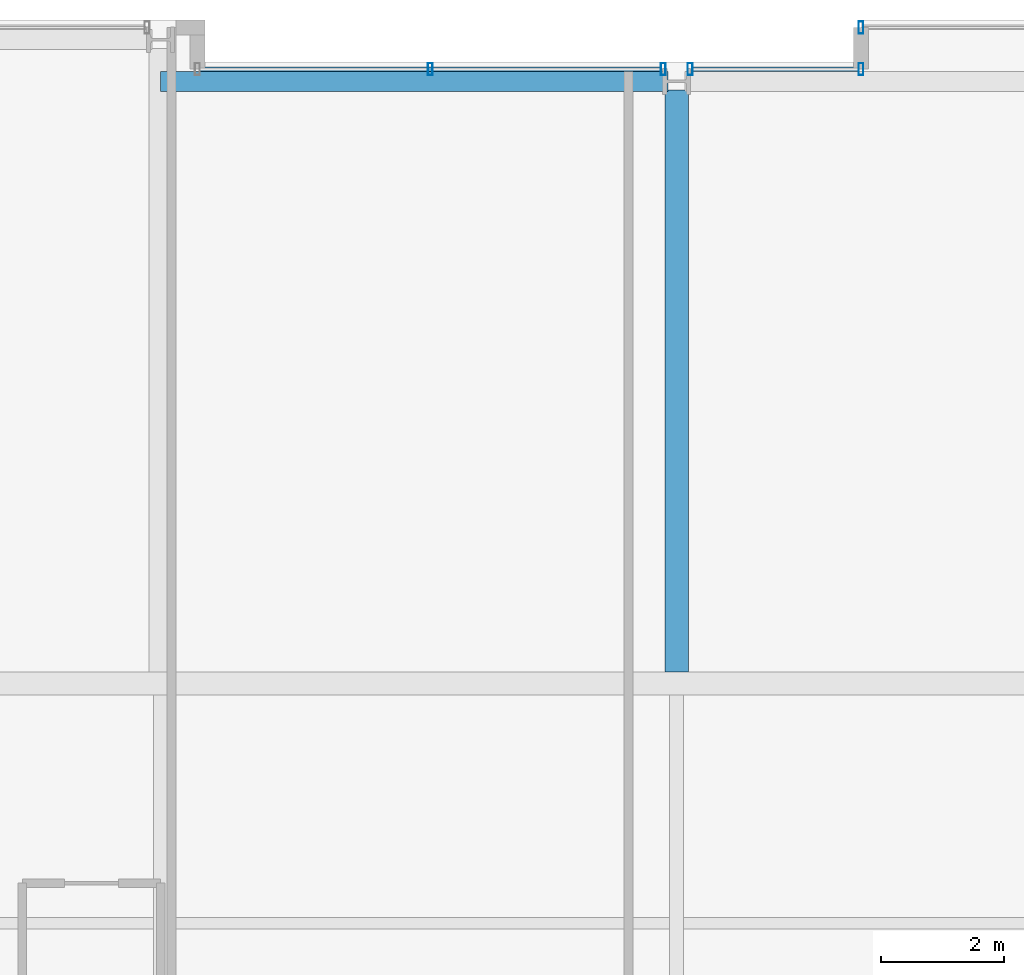
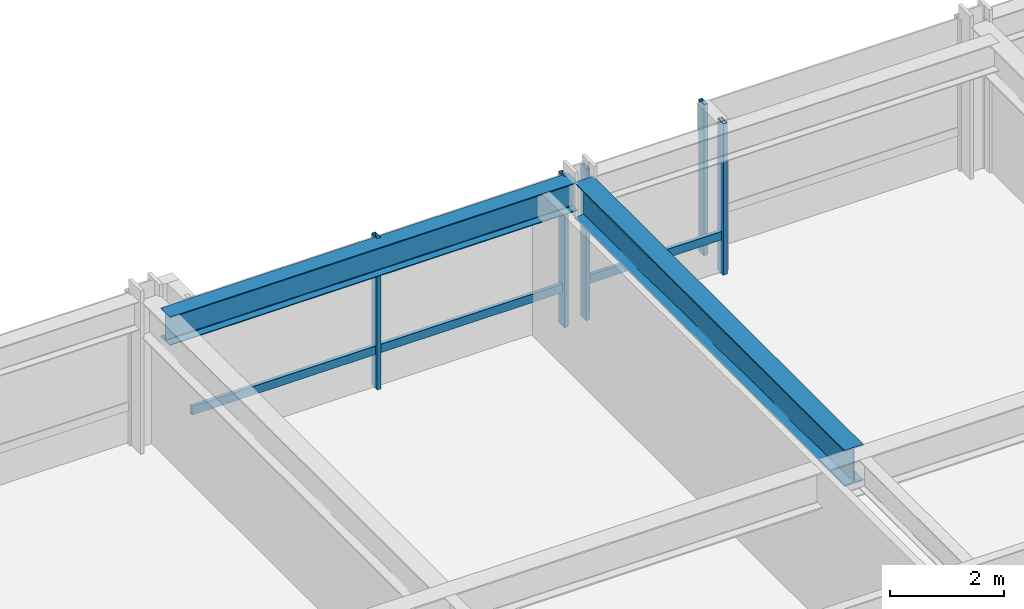
# One storey, part 22 of 33: 7 members, 2 beams, 3 elements without a shape of their own.
"""IFC4 building model written with IfcOpenShell, lengths in metres."""

import ifcopenshell
import ifcopenshell.guid

model = None  # the IFC model being written
_history = None  # IfcOwnerHistory: only IFC2X3 demands one
_inside = {}  # id of a spatial element -> (the spatial element, [elements in it])
_under = {}  # id of a project, library or spatial element -> (it, [spatial elements below it])
_declared = {}  # id of a project -> (the project, [libraries it declares])
_typed = {}  # id of a type object -> (the type object, [elements of that type])
_made_of = {}  # id of a material, layer set ... -> (it, [elements and type objects made of it])


def new_model(schema):
    """Start an empty IFC model of exactly this schema.

    Asked for "IFC4X3", IfcOpenShell would pick the latest addendum, in which some entities
    have other attributes; the version numbers below select the first issue.
    IFC2X3 requires an IfcOwnerHistory on every rooted entity: one is made here for all.
    """
    global model, _history
    if schema == "IFC4X3":
        model = ifcopenshell.file(schema_version=(4, 3, 0, 0))
    else:
        model = ifcopenshell.file(schema=schema)
    _inside.clear()
    _under.clear()
    _declared.clear()
    _typed.clear()
    _made_of.clear()
    _history = None
    if model.schema == "IFC2X3":
        org = make("IfcOrganization", Name="unknown")
        user = make(
            "IfcPersonAndOrganization",
            ThePerson=make("IfcPerson", FamilyName="unknown"),
            TheOrganization=org,
        )
        app = make(
            "IfcApplication",
            ApplicationDeveloper=org,
            Version="unknown",
            ApplicationFullName="unknown",
            ApplicationIdentifier="unknown",
        )
        _history = make(
            "IfcOwnerHistory",
            OwningUser=user,
            OwningApplication=app,
            ChangeAction="ADDED",
            CreationDate=0,
        )
    return model


def make(cls, **values):
    """One entity of the class cls with the attributes given. An attribute that is None is left unset."""
    return model.create_entity(
        cls, **{name: value for name, value in values.items() if value is not None}
    )


def rooted(cls, **values):
    """An entity with a GlobalId (a new one), such as an element, a storey or a relation."""
    return make(cls, GlobalId=ifcopenshell.guid.new(), OwnerHistory=_history, **values)


def si_unit(unit_type, name, prefix=None):
    """IfcSIUnit, for example si_unit("LENGTHUNIT", "METRE", prefix="MILLI")."""
    return make("IfcSIUnit", UnitType=unit_type, Prefix=prefix, Name=name)


def assignment(units):
    """IfcUnitAssignment: the units of a project."""
    return None if units is None else make("IfcUnitAssignment", Units=units)


def point(xyz):
    """IfcCartesianPoint."""
    return None if xyz is None else make("IfcCartesianPoint", Coordinates=xyz)


def direction(xyz):
    """IfcDirection."""
    return None if xyz is None else make("IfcDirection", DirectionRatios=xyz)


def frame(location, z_axis=None, x_axis=None):
    """IfcAxis2Placement3D, a coordinate frame: its origin and axes. An axis left out is left unset."""
    return make(
        "IfcAxis2Placement3D",
        Location=point(location),
        Axis=direction(z_axis),
        RefDirection=direction(x_axis),
    )


def frame_2d(location, x_axis=None):
    """IfcAxis2Placement2D, a coordinate frame in the plane: its origin and x axis."""
    return make(
        "IfcAxis2Placement2D", Location=point(location), RefDirection=direction(x_axis)
    )


def origin():
    """The frame at (0, 0, 0) with its axes left unset."""
    return frame((0.0, 0.0, 0.0))


def origin_2d():
    """The frame at (0, 0) in the plane with its x axis left unset."""
    return frame_2d((0.0, 0.0))


def place(relative_to, where):
    """IfcLocalPlacement: puts the frame where relative to a parent placement (None: the world)."""
    return make(
        "IfcLocalPlacement", PlacementRelTo=relative_to, RelativePlacement=where
    )


def context(
    kind, dimensions, precision=None, world=None, true_north=None, identifier=None
):
    """IfcGeometricRepresentationContext, for example the 3D "Model" context."""
    return make(
        "IfcGeometricRepresentationContext",
        ContextIdentifier=identifier,
        ContextType=kind,
        CoordinateSpaceDimension=dimensions,
        Precision=precision,
        WorldCoordinateSystem=world,
        TrueNorth=true_north,
    )


def subcontext(parent, identifier, kind, view, scale=None):
    """IfcGeometricRepresentationSubContext, for example "Body" below "Model"."""
    return make(
        "IfcGeometricRepresentationSubContext",
        ContextIdentifier=identifier,
        ContextType=kind,
        ParentContext=parent,
        TargetScale=scale,
        TargetView=view,
    )


def project(units=None, contexts=None):
    """IfcProject with its units and contexts."""
    return rooted(
        "IfcProject",
        Name="project",
        RepresentationContexts=contexts,
        UnitsInContext=assignment(units),
    )


def spatial(cls, under=None, at=None, **own):
    """A site, building, storey or space (cls), placed at a placement, below another one or the project."""
    s = rooted(cls, ObjectPlacement=at, **own)
    if under is not None:
        _under.setdefault(under.id(), (under, []))[1].append(s)
    return s


def profile(cls, at=None, kind="AREA", **sizes):
    """A parametric profile (cls). Its sizes go by their IFC names, for example OverallWidth=200.0."""
    return make(cls, ProfileType=kind, Position=at, **sizes)


def hollow_rectangle(**sizes):
    """IfcRectangleHollowProfileDef."""
    return profile("IfcRectangleHollowProfileDef", **sizes)


def i_section(**sizes):
    """IfcIShapeProfileDef."""
    return profile("IfcIShapeProfileDef", **sizes)


def extrude(swept, where, along, depth):
    """IfcExtrudedAreaSolid: the profile swept, set in the frame where, extruded along a direction by depth."""
    return make(
        "IfcExtrudedAreaSolid",
        SweptArea=swept,
        Position=where,
        ExtrudedDirection=direction(along),
        Depth=depth,
    )


def shape(context_of_items, identifier, shape_type, items):
    """IfcShapeRepresentation: the items that make up one representation, for example the "Body"."""
    return make(
        "IfcShapeRepresentation",
        ContextOfItems=context_of_items,
        RepresentationIdentifier=identifier,
        RepresentationType=shape_type,
        Items=items,
    )


def material(Name=None, Category=None):
    """IfcMaterial."""
    return make("IfcMaterial", Name=Name, Category=Category)


def layer(
    of_material, thickness, ventilated=None, Name=None, Category=None, Priority=None
):
    """IfcMaterialLayer: one layer of a wall or slab, of a material (None: an air gap)."""
    return make(
        "IfcMaterialLayer",
        Material=of_material,
        LayerThickness=thickness,
        IsVentilated=ventilated,
        Name=Name,
        Category=Category,
        Priority=Priority,
    )


def layer_set(layers, Name=None):
    """IfcMaterialLayerSet."""
    return make("IfcMaterialLayerSet", MaterialLayers=layers, LayerSetName=Name)


def material_profile(
    of_material, cross_section, Name=None, Category=None, Priority=None
):
    """IfcMaterialProfile: a cross section and its material."""
    return make(
        "IfcMaterialProfile",
        Name=Name,
        Material=of_material,
        Profile=cross_section,
        Priority=Priority,
        Category=Category,
    )


def profile_set(profiles, Name=None, composite=None):
    """IfcMaterialProfileSet."""
    return make(
        "IfcMaterialProfileSet",
        Name=Name,
        MaterialProfiles=profiles,
        CompositeProfile=composite,
    )


def made_of(thing, what):
    """Note that an element or type object is made of a material, layer set ...; save() writes the relation."""
    if what is not None:
        _made_of.setdefault(what.id(), (what, []))[1].append(thing)
    return thing


def type_object(cls, material=None, **own):
    """A type object (cls), such as IfcWallType, which elements share."""
    return made_of(rooted(cls, **own), material)


def element(
    cls,
    number,
    at=None,
    inside=None,
    cuts=None,
    type_object=None,
    material=None,
    context=None,
    identifier="Body",
    shape_type=None,
    held_by="IfcProductDefinitionShape",
    body=None,
    shapes=None,
    **own,
):
    """One element of the class cls, such as IfcWall. Its Tag is "e" and its number.

    at: its placement. inside: the storey or other place that contains it. cuts: it is an
    opening in that element (IfcRelVoidsElement). A single representation is given by context,
    identifier, shape_type and body (its items); several are given by shapes. held_by: the class
    of the entity that holds the representations. save() writes the other relations.
    """
    e = rooted(cls, Tag="e%d" % number, ObjectPlacement=at, **own)
    if body is not None:
        shapes = [shape(context, identifier, shape_type, body)]
    if shapes is not None:
        e.Representation = make(held_by, Representations=shapes)
    if inside is not None:
        _inside.setdefault(inside.id(), (inside, []))[1].append(e)
    if cuts is not None:
        rooted(
            "IfcRelVoidsElement", RelatingBuildingElement=cuts, RelatedOpeningElement=e
        )
    if type_object is not None:
        _typed.setdefault(type_object.id(), (type_object, []))[1].append(e)
    return made_of(e, material)


def aggregate(whole, parts):
    """IfcRelAggregates: a whole, such as a stair, and the parts it consists of."""
    return rooted("IfcRelAggregates", RelatingObject=whole, RelatedObjects=parts)


def save(model, path):
    """Write the relations noted so far, then the file.

    IfcRelAggregates (storeys below a building ...), IfcRelContainedInSpatialStructure (elements
    in a storey), IfcRelDefinesByType, IfcRelAssociatesMaterial and IfcRelDeclares: one each for
    every whole, place, type object, material and project.
    """
    for whole, parts in _under.values():
        aggregate(whole, parts)
    for where, things in _inside.values():
        rooted(
            "IfcRelContainedInSpatialStructure",
            RelatedElements=things,
            RelatingStructure=where,
        )
    for kind, things in _typed.values():
        rooted("IfcRelDefinesByType", RelatedObjects=things, RelatingType=kind)
    for what, things in _made_of.values():
        rooted("IfcRelAssociatesMaterial", RelatedObjects=things, RelatingMaterial=what)
    for by, libraries in _declared.values():
        rooted("IfcRelDeclares", RelatingContext=by, RelatedDefinitions=libraries)
    model.write(path)


model = new_model("IFC4")

# Units and contexts
model_context = context("Model", 3, precision=1e-05, world=origin(), true_north=direction((0.0, 1.0)))
body_context = subcontext(model_context, "Body", "Model", "MODEL_VIEW")
ifc_project = project(units=[si_unit("LENGTHUNIT", "METRE"), si_unit("AREAUNIT", "SQUARE_METRE"), si_unit("VOLUMEUNIT", "CUBIC_METRE"), si_unit("PLANEANGLEUNIT", "RADIAN"), si_unit("MASSUNIT", "GRAM", prefix="KILO")], contexts=[model_context])

# Site, building, storey
site_placement = place(None, origin())
site = spatial("IfcSite", under=ifc_project, at=site_placement, CompositionType="ELEMENT")
building_placement = place(site_placement, origin())
building = spatial("IfcBuilding", under=site, at=building_placement, Name="Drelvath Grand Hotel", CompositionType="ELEMENT")
storey_placement = place(building_placement, frame((0.0, 0.0, 105.800048828125)))
storey = spatial("IfcBuildingStorey", under=building, at=storey_placement, Name="L26", CompositionType="ELEMENT", Elevation=105.800048828125)

# Curtain wall, member
ifc_material_1 = material(Name="Champagne Bronze Anodised Aluminium Frame", Category="aluminium")
ifc_layer = layer(ifc_material_1, 0.199951171875)
ifc_layer_set = layer_set([ifc_layer], Name="Champagne Bronze Anodised Aluminium Frame")
curtain_wall_type = type_object("IfcCurtainWallType", Name="Stick Curtain Wall CW-03 Champagne Bronze Mid-Rise", PredefinedType="NOTDEFINED", material=ifc_layer_set)
curtain_wall_1_placement = place(storey_placement, origin())
curtain_wall_1 = element("IfcCurtainWall", 1, at=curtain_wall_1_placement, inside=storey, type_object=curtain_wall_type, Name="L26 CW-03 Curtain Wall CW03-L26-NM1", PredefinedType="NOTDEFINED")
ifc_material_profile_1 = material_profile(ifc_material_1, hollow_rectangle(XDim=0.074951171875, YDim=0.179931640625, WallThickness=0.0048828125, at=origin_2d()), Name="HSS180X75X5")
ifc_profile_set_1 = profile_set([ifc_material_profile_1], Name="Champagne Bronze Anodised Aluminium Frame")
member_type_1 = type_object("IfcMemberType", Name="Curtain Wall Horizontal Transom CW-03 HSS180X75X5", PredefinedType="USERDEFINED", material=ifc_profile_set_1)
member_1_placement = place(storey_placement, frame((-7.760009765625, 53.199951171875, 0.81005859375), z_axis=(1.0, 0.0, 0.0), x_axis=(0.0, 1.0, 0.0)))
member_1 = element("IfcMember", 2, at=member_1_placement, type_object=member_type_1, Name="CW03-L26-NM1 Sill Transom", ObjectType="TRANSOM", PredefinedType="USERDEFINED", context=body_context, shape_type="SweptSolid", body=[
    extrude(hollow_rectangle(XDim=0.074951171875, YDim=0.179931640625, WallThickness=0.0048828125, at=origin_2d()), origin(), (0.0, 0.0, 1.0), 7.50048828125),
])

curtain_wall_2_placement = place(storey_placement, origin())
curtain_wall_2 = element("IfcCurtainWall", 3, at=curtain_wall_2_placement, inside=storey, type_object=curtain_wall_type, Name="L26 CW-03 Curtain Wall CW03-L26-NM2", PredefinedType="NOTDEFINED")
member_2_placement = place(storey_placement, frame((0.259521484375, 53.199951171875, 0.81005859375), z_axis=(1.0, 0.0, 0.0), x_axis=(0.0, 1.0, 0.0)))
member_2 = element("IfcMember", 4, at=member_2_placement, type_object=member_type_1, Name="CW03-L26-NM2 Sill Transom", ObjectType="TRANSOM", PredefinedType="USERDEFINED", context=body_context, shape_type="SweptSolid", body=[
    extrude(hollow_rectangle(XDim=0.074951171875, YDim=0.179931640625, WallThickness=0.0048828125, at=origin_2d()), origin(), (0.0, 0.0, 1.0), 2.700439453125),
])

# Member
ifc_material_profile_2 = material_profile(ifc_material_1, hollow_rectangle(XDim=0.080078125, YDim=0.199951171875, WallThickness=0.0048828125, at=origin_2d()), Name="HSS200X80X5")
ifc_profile_set_2 = profile_set([ifc_material_profile_2], Name="Champagne Bronze Anodised Aluminium Frame")
member_type_2 = type_object("IfcMemberType", Name="Curtain Wall Vertical Mullion CW-03 HSS200X80X5", PredefinedType="MULLION", material=ifc_profile_set_2)
member_3_placement = place(storey_placement, frame((-4.009765625, 53.199951171875, 0.0), z_axis=(0.0, 0.0, 1.0), x_axis=(1.0, 0.0, 0.0)))
member_3 = element("IfcMember", 5, at=member_3_placement, type_object=member_type_2, Name="CW03-L26-NM1 Mullion 2", PredefinedType="MULLION", context=body_context, shape_type="SweptSolid", body=[
    extrude(hollow_rectangle(XDim=0.080078125, YDim=0.199951171875, WallThickness=0.0048828125, at=origin_2d()), origin(), (0.0, 0.0, 1.0), 3.239990234375),
])

member_4_placement = place(storey_placement, frame((-0.219482421875, 53.199951171875, 0.0), z_axis=(0.0, 0.0, 1.0), x_axis=(1.0, 0.0, 0.0)))
member_4 = element("IfcMember", 6, at=member_4_placement, type_object=member_type_2, Name="CW03-L26-NM1 Mullion 3", PredefinedType="MULLION", context=body_context, shape_type="SweptSolid", body=[
    extrude(hollow_rectangle(XDim=0.080078125, YDim=0.199951171875, WallThickness=0.0048828125, at=origin_2d()), origin(), (0.0, 0.0, 1.0), 3.239990234375),
])

aggregate(curtain_wall_1, [member_3, member_4, member_1])

member_5_placement = place(storey_placement, frame((0.219482421875, 53.199951171875, 0.0), z_axis=(0.0, 0.0, 1.0), x_axis=(1.0, 0.0, 0.0)))
member_5 = element("IfcMember", 7, at=member_5_placement, type_object=member_type_2, Name="CW03-L26-NM2 Mullion 1", PredefinedType="MULLION", context=body_context, shape_type="SweptSolid", body=[
    extrude(hollow_rectangle(XDim=0.080078125, YDim=0.199951171875, WallThickness=0.0048828125, at=origin_2d()), origin(), (0.0, 0.0, 1.0), 3.239990234375),
])

member_6_placement = place(storey_placement, frame((3.0, 53.199951171875, 0.0), z_axis=(0.0, 0.0, 1.0), x_axis=(1.0, 0.0, 0.0)))
member_6 = element("IfcMember", 8, at=member_6_placement, type_object=member_type_2, Name="CW03-L26-NM2 Mullion 2", PredefinedType="MULLION", context=body_context, shape_type="SweptSolid", body=[
    extrude(hollow_rectangle(XDim=0.080078125, YDim=0.199951171875, WallThickness=0.0048828125, at=origin_2d()), origin(), (0.0, 0.0, 1.0), 3.239990234375),
])

aggregate(curtain_wall_2, [member_5, member_6, member_2])

# Curtain wall, member
curtain_wall_3_placement = place(storey_placement, origin())
curtain_wall_3 = element("IfcCurtainWall", 9, at=curtain_wall_3_placement, inside=storey, type_object=curtain_wall_type, Name="L26 CW-03 Curtain Wall CW03-L26-NE1", PredefinedType="NOTDEFINED")
member_7_placement = place(storey_placement, frame((3.0, 53.8798828125, 0.0), z_axis=(0.0, 0.0, 1.0), x_axis=(1.0, 0.0, 0.0)))
member_7 = element("IfcMember", 10, at=member_7_placement, type_object=member_type_2, Name="CW03-L26-NE1 Mullion 1", PredefinedType="MULLION", context=body_context, shape_type="SweptSolid", body=[
    extrude(hollow_rectangle(XDim=0.080078125, YDim=0.199951171875, WallThickness=0.0048828125, at=origin_2d()), origin(), (0.0, 0.0, 1.0), 3.239990234375),
])
aggregate(curtain_wall_3, [member_7])

# Beams
ifc_material_2 = material(Name="Steel ASTM A992 Gr 50", Category="steel")
ifc_material_profile_3 = material_profile(ifc_material_2, i_section(OverallWidth=0.323974609375, OverallDepth=0.611083984375, WebThickness=0.0126953125, FlangeThickness=0.01904296875, FilletRadius=0.02197265625, at=origin_2d()), Name="W24X104")
ifc_profile_set_3 = profile_set([ifc_material_profile_3], Name="Steel ASTM A992 Gr 50")
beam_type_1 = type_object("IfcBeamType", Name="Perimeter Spandrel Beam W24X104", PredefinedType="SPANDREL", material=ifc_profile_set_3)
beam_1_placement = place(storey_placement, frame((-8.39990234375, 53.0, 2.9345703125), z_axis=(1.0, 0.0, 0.0), x_axis=(0.0, 1.0, 0.0)))
element("IfcBeam", 11, at=beam_1_placement, inside=storey, type_object=beam_type_1, Name="L26 Spandrel North Mid W", PredefinedType="SPANDREL", context=body_context, shape_type="SweptSolid", body=[
    extrude(i_section(OverallWidth=0.323974609375, OverallDepth=0.611083984375, WebThickness=0.0126953125, FlangeThickness=0.01904296875, FilletRadius=0.02197265625, at=origin_2d()), origin(), (0.0, 0.0, 1.0), 8.260009765625),
])
ifc_material_profile_4 = material_profile(ifc_material_2, i_section(OverallWidth=0.380615234375, OverallDepth=0.773193359375, WebThickness=0.0166015625, FlangeThickness=0.027099609375, FilletRadius=0.02490234375, at=origin_2d()), Name="W30X173")
ifc_profile_set_4 = profile_set([ifc_material_profile_4], Name="Steel ASTM A992 Gr 50")
beam_type_2 = type_object("IfcBeamType", Name="Primary Floor Girder W30X173", PredefinedType="BEAM", material=ifc_profile_set_4)
beam_2_placement = place(storey_placement, frame((0.0, 43.390380859375, 2.853271484375), z_axis=(0.0, 1.0, 0.0), x_axis=(-1.0, 0.0, 0.0)))
element("IfcBeam", 12, at=beam_2_placement, inside=storey, type_object=beam_type_2, Name="L26 North Wing Girder 5", PredefinedType="BEAM", context=body_context, shape_type="SweptSolid", body=[
    extrude(i_section(OverallWidth=0.380615234375, OverallDepth=0.773193359375, WebThickness=0.0166015625, FlangeThickness=0.027099609375, FilletRadius=0.02490234375, at=origin_2d()), origin(), (0.0, 0.0, 1.0), 9.4697265625),
])

save(model, "model.ifc")
